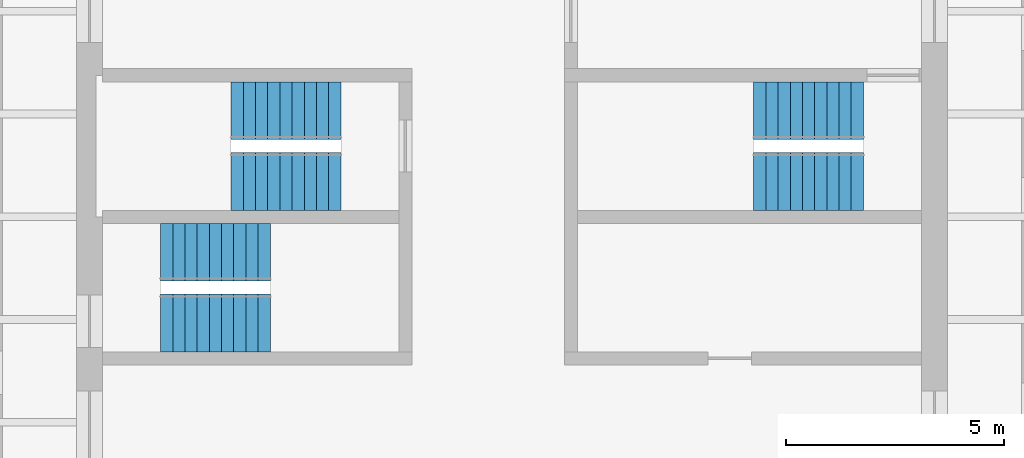
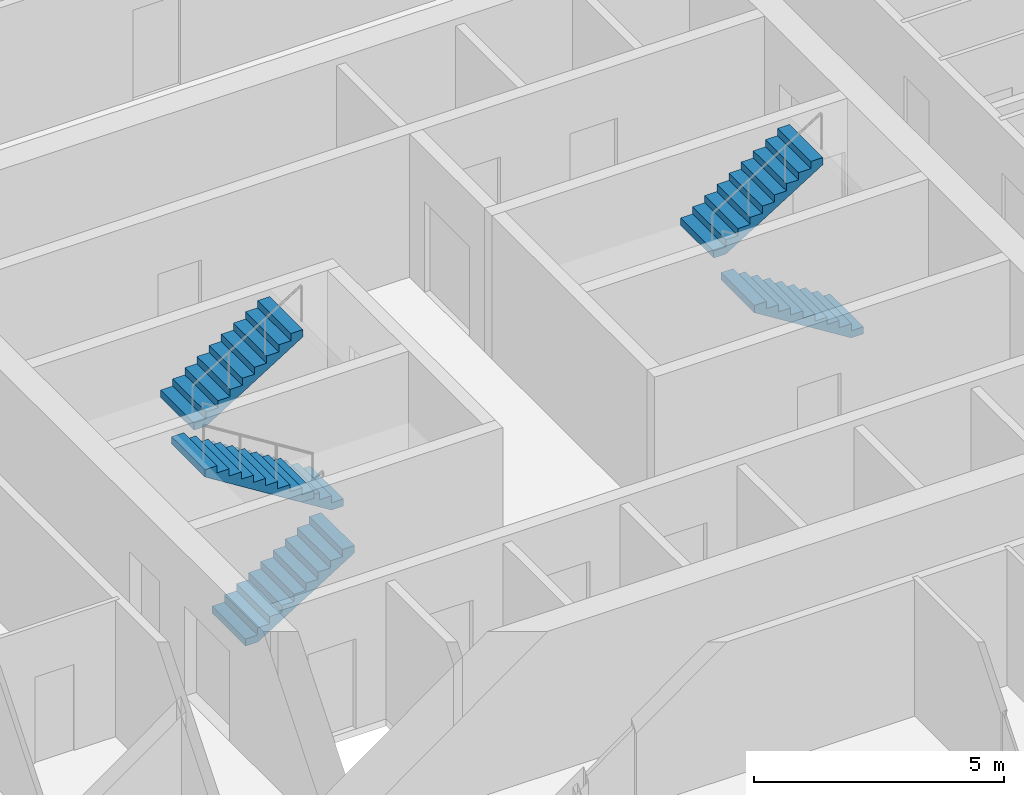
# One storey, part 8 of 9: 6 stair flights, 3 elements without a shape of their own.
"""IFC4 building model written with IfcOpenShell, lengths in metres."""

from ifc_helpers import new_model, si_unit, direction, frame, origin, place, context, subcontext, project, spatial, polyline, outline, extrude, material, type_object, element, aggregate, save


model = new_model("IFC4")

# Units and contexts
model_context = context("Model", 3, precision=1e-05, world=origin(), true_north=direction((0.0, 1.0)))
body_context = subcontext(model_context, "Body", "Model", "MODEL_VIEW")
ifc_project = project(units=[si_unit("LENGTHUNIT", "METRE"), si_unit("AREAUNIT", "SQUARE_METRE"), si_unit("VOLUMEUNIT", "CUBIC_METRE"), si_unit("PLANEANGLEUNIT", "RADIAN"), si_unit("MASSUNIT", "GRAM", prefix="KILO")], contexts=[model_context])

# Site, building, storey
site_placement = place(None, origin())
site = spatial("IfcSite", under=ifc_project, at=site_placement, CompositionType="ELEMENT")
building_placement = place(site_placement, origin())
building = spatial("IfcBuilding", under=site, at=building_placement, Name="Turquesa Mirador Hotel Tower", CompositionType="ELEMENT")
storey_placement = place(building_placement, frame((0.0, 0.0, 203.800048828125)))
storey = spatial("IfcBuildingStorey", under=building, at=storey_placement, Name="L55", CompositionType="ELEMENT", Elevation=203.800048828125)

# Stair, stair flights
ifc_material_1 = material(Name="Concrete C35/45", Category="concrete")
stair_type = type_object("IfcStairType", Name="ESCAPE STAIR CORE", PredefinedType="HALF_TURN_STAIR", material=ifc_material_1)
stair_1_placement = place(storey_placement, origin())
stair_1 = element("IfcStair", 1, at=stair_1_placement, inside=storey, type_object=stair_type, Name="Stair ST1 L55 to L56", PredefinedType="HALF_TURN_STAIR")
ifc_material_2 = material(Name="Concrete C35/45 precast flight", Category="concrete")
stair_flight_type = type_object("IfcStairFlightType", Name="STAIR FLIGHT 1330", PredefinedType="STRAIGHT", material=ifc_material_2)
stair_flight_1_placement = place(storey_placement, frame((51.070068359375, 45.81494140625, 0.0), z_axis=(0.0, 0.0, 1.0), x_axis=(-1.0, 0.0, 0.0)))
stair_flight_1 = element("IfcStairFlight", 2, at=stair_flight_1_placement, type_object=stair_flight_type, Name="ST1 flight 1", NumberOfRisers=10, NumberOfTreads=9, PredefinedType="STRAIGHT", RiserHeight=0.175, TreadLength=0.28, context=body_context, shape_type="SweptSolid", body=[
    extrude(outline(polyline([(0.0, 0.0), (0.0, 0.175048828125), (0.280029296875, 0.175048828125), (0.280029296875, 0.35009765625), (0.56005859375, 0.35009765625), (0.56005859375, 0.52490234375), (0.840087890625, 0.52490234375), (0.840087890625, 0.699951171875), (1.1201171875, 0.699951171875), (1.1201171875, 0.875), (1.39990234375, 0.875), (1.39990234375, 1.050048828125), (1.679931640625, 1.050048828125), (1.679931640625, 1.22509765625), (1.9599609375, 1.22509765625), (1.9599609375, 1.39990234375), (2.239990234375, 1.39990234375), (2.239990234375, 1.574951171875), (2.52001953125, 1.574951171875), (2.52001953125, 1.75), (2.52001953125, 1.398193359375), (0.28271484375, 0.0), (0.0, 0.0)])), frame((0.0, 0.6650390625, 0.0), z_axis=(0.0, -1.0, 0.0), x_axis=(1.0, 0.0, 0.0)), (0.0, 0.0, 1.0), 1.330078125),
])
stair_flight_2_placement = place(storey_placement, frame((48.550048828125, 47.43505859375, 1.75), z_axis=(0.0, 0.0, 1.0), x_axis=(1.0, 0.0, 0.0)))
stair_flight_2 = element("IfcStairFlight", 3, at=stair_flight_2_placement, type_object=stair_flight_type, Name="ST1 flight 2", NumberOfRisers=10, NumberOfTreads=9, PredefinedType="STRAIGHT", RiserHeight=0.175, TreadLength=0.28, context=body_context, shape_type="SweptSolid", body=[
    extrude(outline(polyline([(0.0, 0.0), (0.0, 0.175048828125), (0.280029296875, 0.175048828125), (0.280029296875, 0.35009765625), (0.56005859375, 0.35009765625), (0.56005859375, 0.52490234375), (0.840087890625, 0.52490234375), (0.840087890625, 0.699951171875), (1.1201171875, 0.699951171875), (1.1201171875, 0.875), (1.39990234375, 0.875), (1.39990234375, 1.050048828125), (1.679931640625, 1.050048828125), (1.679931640625, 1.22509765625), (1.9599609375, 1.22509765625), (1.9599609375, 1.39990234375), (2.239990234375, 1.39990234375), (2.239990234375, 1.574951171875), (2.52001953125, 1.574951171875), (2.52001953125, 1.75), (2.52001953125, 1.398193359375), (0.28271484375, 0.0), (0.0, 0.0)])), frame((0.0, 0.6650390625, 0.0), z_axis=(0.0, -1.0, 0.0), x_axis=(1.0, 0.0, 0.0)), (0.0, 0.0, 1.0), 1.330078125),
])
aggregate(stair_1, [stair_flight_1, stair_flight_2])

stair_2_placement = place(storey_placement, origin())
stair_2 = element("IfcStair", 4, at=stair_2_placement, inside=storey, type_object=stair_type, Name="Stair ST2 L55 to L56", PredefinedType="HALF_TURN_STAIR")
stair_flight_3_placement = place(storey_placement, frame((46.929931640625, 42.56494140625, 0.0), z_axis=(0.0, 0.0, 1.0), x_axis=(1.0, 0.0, 0.0)))
stair_flight_3 = element("IfcStairFlight", 5, at=stair_flight_3_placement, type_object=stair_flight_type, Name="ST2 flight 1", NumberOfRisers=10, NumberOfTreads=9, PredefinedType="STRAIGHT", RiserHeight=0.175, TreadLength=0.28, context=body_context, shape_type="SweptSolid", body=[
    extrude(outline(polyline([(0.0, 0.0), (0.0, 0.175048828125), (0.280029296875, 0.175048828125), (0.280029296875, 0.35009765625), (0.56005859375, 0.35009765625), (0.56005859375, 0.52490234375), (0.840087890625, 0.52490234375), (0.840087890625, 0.699951171875), (1.1201171875, 0.699951171875), (1.1201171875, 0.875), (1.39990234375, 0.875), (1.39990234375, 1.050048828125), (1.679931640625, 1.050048828125), (1.679931640625, 1.22509765625), (1.9599609375, 1.22509765625), (1.9599609375, 1.39990234375), (2.239990234375, 1.39990234375), (2.239990234375, 1.574951171875), (2.52001953125, 1.574951171875), (2.52001953125, 1.75), (2.52001953125, 1.398193359375), (0.28271484375, 0.0), (0.0, 0.0)])), frame((0.0, 0.6650390625, 0.0), z_axis=(0.0, -1.0, 0.0), x_axis=(1.0, 0.0, 0.0)), (0.0, 0.0, 1.0), 1.330078125),
])
stair_flight_4_placement = place(storey_placement, frame((49.449951171875, 44.18505859375, 1.75), z_axis=(0.0, 0.0, 1.0), x_axis=(-1.0, 0.0, 0.0)))
stair_flight_4 = element("IfcStairFlight", 6, at=stair_flight_4_placement, type_object=stair_flight_type, Name="ST2 flight 2", NumberOfRisers=10, NumberOfTreads=9, PredefinedType="STRAIGHT", RiserHeight=0.175, TreadLength=0.28, context=body_context, shape_type="SweptSolid", body=[
    extrude(outline(polyline([(0.0, 0.0), (0.0, 0.175048828125), (0.280029296875, 0.175048828125), (0.280029296875, 0.35009765625), (0.56005859375, 0.35009765625), (0.56005859375, 0.52490234375), (0.840087890625, 0.52490234375), (0.840087890625, 0.699951171875), (1.1201171875, 0.699951171875), (1.1201171875, 0.875), (1.39990234375, 0.875), (1.39990234375, 1.050048828125), (1.679931640625, 1.050048828125), (1.679931640625, 1.22509765625), (1.9599609375, 1.22509765625), (1.9599609375, 1.39990234375), (2.239990234375, 1.39990234375), (2.239990234375, 1.574951171875), (2.52001953125, 1.574951171875), (2.52001953125, 1.75), (2.52001953125, 1.398193359375), (0.28271484375, 0.0), (0.0, 0.0)])), frame((0.0, 0.6650390625, 0.0), z_axis=(0.0, -1.0, 0.0), x_axis=(1.0, 0.0, 0.0)), (0.0, 0.0, 1.0), 1.330078125),
])
aggregate(stair_2, [stair_flight_3, stair_flight_4])

stair_3_placement = place(storey_placement, origin())
stair_3 = element("IfcStair", 7, at=stair_3_placement, inside=storey, type_object=stair_type, Name="Stair ST3 L55 to L56", PredefinedType="HALF_TURN_STAIR")
stair_flight_5_placement = place(storey_placement, frame((63.070068359375, 45.81494140625, 0.0), z_axis=(0.0, 0.0, 1.0), x_axis=(-1.0, 0.0, 0.0)))
stair_flight_5 = element("IfcStairFlight", 8, at=stair_flight_5_placement, type_object=stair_flight_type, Name="ST3 flight 1", NumberOfRisers=10, NumberOfTreads=9, PredefinedType="STRAIGHT", RiserHeight=0.175, TreadLength=0.28, context=body_context, shape_type="SweptSolid", body=[
    extrude(outline(polyline([(0.0, 0.0), (0.0, 0.175048828125), (0.280029296875, 0.175048828125), (0.280029296875, 0.35009765625), (0.56005859375, 0.35009765625), (0.56005859375, 0.52490234375), (0.840087890625, 0.52490234375), (0.840087890625, 0.699951171875), (1.1201171875, 0.699951171875), (1.1201171875, 0.875), (1.39990234375, 0.875), (1.39990234375, 1.050048828125), (1.679931640625, 1.050048828125), (1.679931640625, 1.22509765625), (1.9599609375, 1.22509765625), (1.9599609375, 1.39990234375), (2.239990234375, 1.39990234375), (2.239990234375, 1.574951171875), (2.52001953125, 1.574951171875), (2.52001953125, 1.75), (2.52001953125, 1.398193359375), (0.28271484375, 0.0), (0.0, 0.0)])), frame((0.0, 0.6650390625, 0.0), z_axis=(0.0, -1.0, 0.0), x_axis=(1.0, 0.0, 0.0)), (0.0, 0.0, 1.0), 1.330078125),
])
stair_flight_6_placement = place(storey_placement, frame((60.550048828125, 47.43505859375, 1.75), z_axis=(0.0, 0.0, 1.0), x_axis=(1.0, 0.0, 0.0)))
stair_flight_6 = element("IfcStairFlight", 9, at=stair_flight_6_placement, type_object=stair_flight_type, Name="ST3 flight 2", NumberOfRisers=10, NumberOfTreads=9, PredefinedType="STRAIGHT", RiserHeight=0.175, TreadLength=0.28, context=body_context, shape_type="SweptSolid", body=[
    extrude(outline(polyline([(0.0, 0.0), (0.0, 0.175048828125), (0.280029296875, 0.175048828125), (0.280029296875, 0.35009765625), (0.56005859375, 0.35009765625), (0.56005859375, 0.52490234375), (0.840087890625, 0.52490234375), (0.840087890625, 0.699951171875), (1.1201171875, 0.699951171875), (1.1201171875, 0.875), (1.39990234375, 0.875), (1.39990234375, 1.050048828125), (1.679931640625, 1.050048828125), (1.679931640625, 1.22509765625), (1.9599609375, 1.22509765625), (1.9599609375, 1.39990234375), (2.239990234375, 1.39990234375), (2.239990234375, 1.574951171875), (2.52001953125, 1.574951171875), (2.52001953125, 1.75), (2.52001953125, 1.398193359375), (0.28271484375, 0.0), (0.0, 0.0)])), frame((0.0, 0.6650390625, 0.0), z_axis=(0.0, -1.0, 0.0), x_axis=(1.0, 0.0, 0.0)), (0.0, 0.0, 1.0), 1.330078125),
])
aggregate(stair_3, [stair_flight_5, stair_flight_6])

save(model, "model.ifc")
